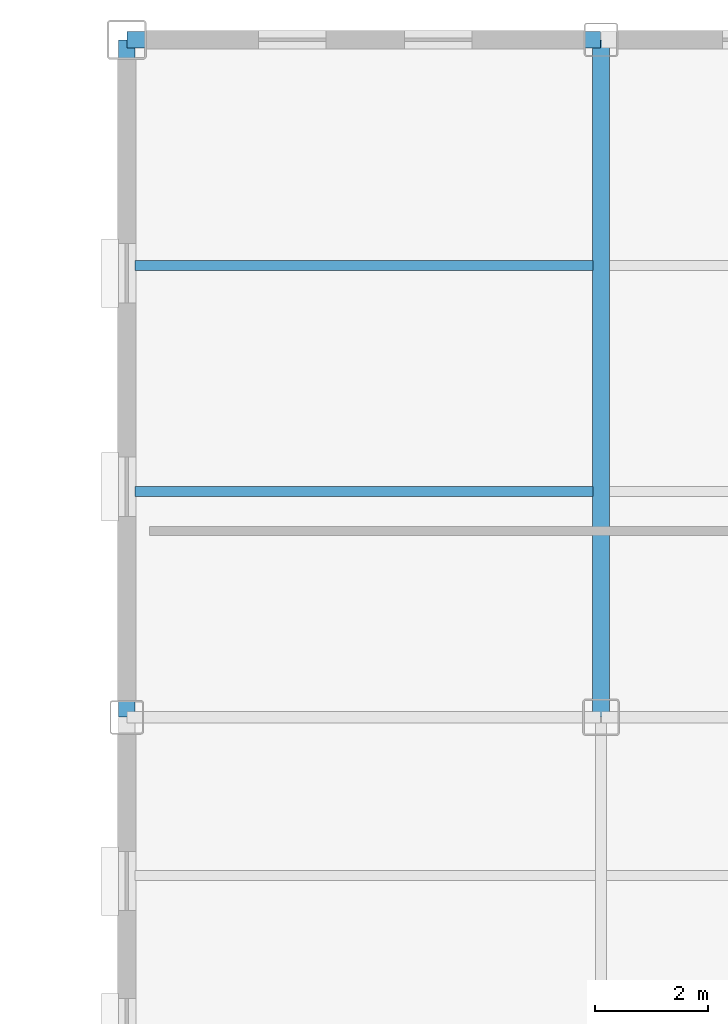
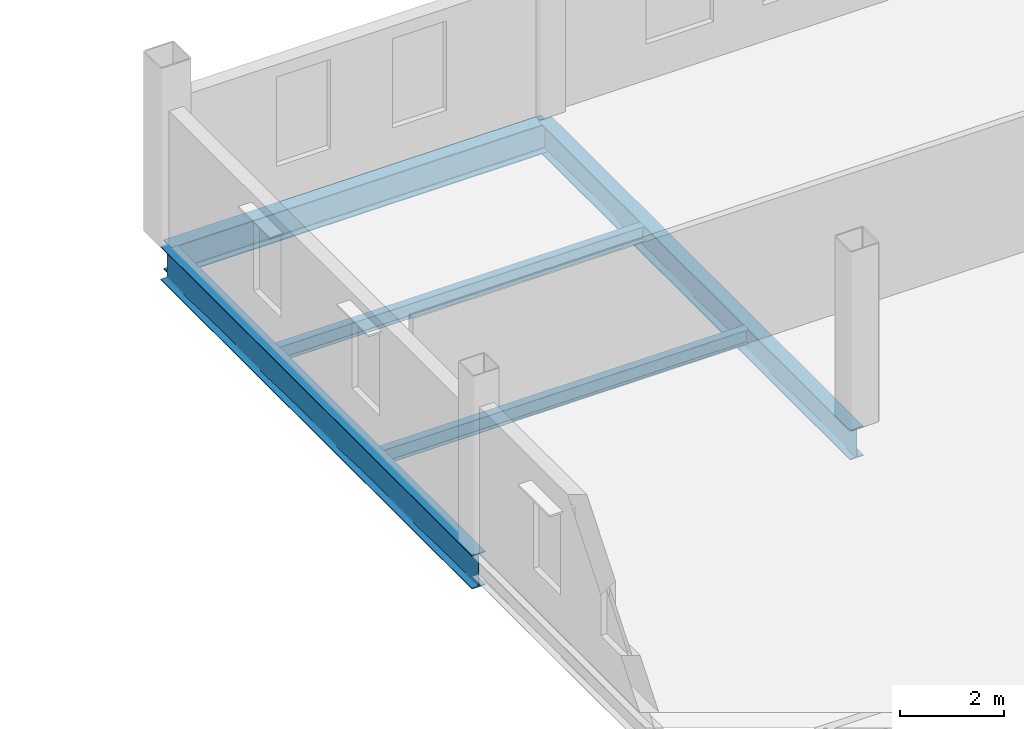
# One storey, part 17 of 45: 5 beams.
"""IFC4 building model written with IfcOpenShell, lengths in metres."""

from ifc_helpers import new_model, si_unit, direction, frame, origin, origin_2d, place, context, subcontext, project, spatial, i_section, extrude, material, material_profile, profile_set, type_object, element, save


model = new_model("IFC4")

# Units and contexts
model_context = context("Model", 3, precision=1e-05, world=origin(), true_north=direction((0.0, 1.0)))
body_context = subcontext(model_context, "Body", "Model", "MODEL_VIEW")
ifc_project = project(units=[si_unit("LENGTHUNIT", "METRE"), si_unit("AREAUNIT", "SQUARE_METRE"), si_unit("VOLUMEUNIT", "CUBIC_METRE"), si_unit("PLANEANGLEUNIT", "RADIAN"), si_unit("MASSUNIT", "GRAM", prefix="KILO")], contexts=[model_context])

# Site, building, storey
site_placement = place(None, origin())
site = spatial("IfcSite", under=ifc_project, at=site_placement, CompositionType="ELEMENT")
building_placement = place(site_placement, origin())
building = spatial("IfcBuilding", under=site, at=building_placement, Name="Yukiwa Park Conservatory and Herbarium", CompositionType="ELEMENT")
storey_placement = place(building_placement, frame((0.0, 0.0, 9.0)))
storey = spatial("IfcBuildingStorey", under=building, at=storey_placement, Name="L02", CompositionType="ELEMENT", Elevation=9.0)

# Beams
ifc_material_1 = material(Name="Steel Q355D", Category="steel")
ifc_material_profile_1 = material_profile(ifc_material_1, i_section(OverallWidth=0.300048828125, OverallDepth=0.699951171875, WebThickness=0.012939453125, FlangeThickness=0.02392578125, FilletRadius=0.028076171875, at=origin_2d()), Name="HN 700x300x13x24")
ifc_profile_set_1 = profile_set([ifc_material_profile_1], Name="Steel Q355D")
beam_type_1 = type_object("IfcBeamType", Name="BM-GRD-HN700", PredefinedType="BEAM", material=ifc_profile_set_1)
beam_1_placement = place(storey_placement, frame((124.800048828125, 103.2060546875, -0.594970703125), z_axis=(0.0, 1.0, 0.0), x_axis=(-1.0, 0.0, 0.0)))
element("IfcBeam", 1, at=beam_1_placement, inside=storey, type_object=beam_type_1, Name="L02 grid girder Y-92", PredefinedType="BEAM", context=body_context, shape_type="SweptSolid", body=[
    extrude(i_section(OverallWidth=0.300048828125, OverallDepth=0.699951171875, WebThickness=0.012939453125, FlangeThickness=0.02392578125, FilletRadius=0.028076171875, at=origin_2d()), origin(), (0.0, 0.0, 1.0), 11.988037109375),
])
ifc_material_2 = material(Name="Steel Q355D", Category="steel")
ifc_material_profile_2 = material_profile(ifc_material_2, i_section(OverallWidth=0.174072265625, OverallDepth=0.345947265625, WebThickness=0.006103515625, FlangeThickness=0.009033203125, FilletRadius=0.013916015625, at=origin_2d()), Name="HN 346x174x6x9")
ifc_profile_set_2 = profile_set([ifc_material_profile_2], Name="Steel Q355D")
beam_type_2 = type_object("IfcBeamType", Name="BM-JST-HN346", PredefinedType="JOIST", material=ifc_profile_set_2)
for number, where, z_axis, x_axis, name in (
    (2, (116.5458984375, 107.199951171875, -0.41796875), (1.0, 0.0, 0.0), (0.0, 1.0, 0.0), "L02 composite floor joist 43"),
    (3, (116.5458984375, 111.199951171875, -0.41796875), (1.0, 0.0, 0.0), (0.0, 1.0, 0.0), "L02 composite floor joist 44"),
):
    element("IfcBeam", number, at=place(storey_placement, frame(where, z_axis=z_axis, x_axis=x_axis)), inside=storey, type_object=beam_type_2, Name=name, PredefinedType="JOIST", context=body_context, shape_type="SweptSolid", body=[
        extrude(i_section(OverallWidth=0.174072265625, OverallDepth=0.345947265625, WebThickness=0.006103515625, FlangeThickness=0.009033203125, FilletRadius=0.013916015625, at=origin_2d()), origin(), (0.0, 0.0, 1.0), 8.108154296875),
    ])
ifc_material_3 = material(Name="Steel Q355D", Category="steel")
ifc_material_profile_3 = material_profile(ifc_material_3, i_section(OverallWidth=0.300048828125, OverallDepth=0.69189453125, WebThickness=0.012939453125, FlangeThickness=0.02001953125, FilletRadius=0.028076171875, at=origin_2d()), Name="HN 692x300x13x20")
ifc_profile_set_3 = profile_set([ifc_material_profile_3], Name="Steel Q355D")
beam_type_3 = type_object("IfcBeamType", Name="BM-SPN-HN550", PredefinedType="SPANDREL", material=ifc_profile_set_3)
beam_2_placement = place(storey_placement, frame((116.406005859375, 115.199951171875, -0.591064453125), z_axis=(1.0, 0.0, 0.0), x_axis=(0.0, 1.0, 0.0)))
element("IfcBeam", 4, at=beam_2_placement, inside=storey, type_object=beam_type_3, Name="L02 spandrel beam X-52", PredefinedType="SPANDREL", context=body_context, shape_type="SweptSolid", body=[
    extrude(i_section(OverallWidth=0.300048828125, OverallDepth=0.69189453125, WebThickness=0.012939453125, FlangeThickness=0.02001953125, FilletRadius=0.028076171875, at=origin_2d()), origin(), (0.0, 0.0, 1.0), 8.387939453125),
])
ifc_material_4 = material(Name="Steel Q355D", Category="steel")
ifc_material_profile_4 = material_profile(ifc_material_4, i_section(OverallWidth=0.300048828125, OverallDepth=0.7919921875, WebThickness=0.013916015625, FlangeThickness=0.02197265625, FilletRadius=0.028076171875, at=origin_2d()), Name="HN 792x300x14x22")
ifc_profile_set_4 = profile_set([ifc_material_profile_4], Name="Steel Q355D")
beam_type_4 = type_object("IfcBeamType", Name="BM-SPN-HN600", PredefinedType="SPANDREL", material=ifc_profile_set_4)
beam_3_placement = place(storey_placement, frame((116.39990234375, 103.2060546875, -0.64111328125), z_axis=(0.0, 1.0, 0.0), x_axis=(-1.0, 0.0, 0.0)))
element("IfcBeam", 5, at=beam_3_placement, inside=storey, type_object=beam_type_4, Name="L02 spandrel girder Y-88", PredefinedType="SPANDREL", context=body_context, shape_type="SweptSolid", body=[
    extrude(i_section(OverallWidth=0.300048828125, OverallDepth=0.7919921875, WebThickness=0.013916015625, FlangeThickness=0.02197265625, FilletRadius=0.028076171875, at=origin_2d()), origin(), (0.0, 0.0, 1.0), 11.988037109375),
])

save(model, "model.ifc")
